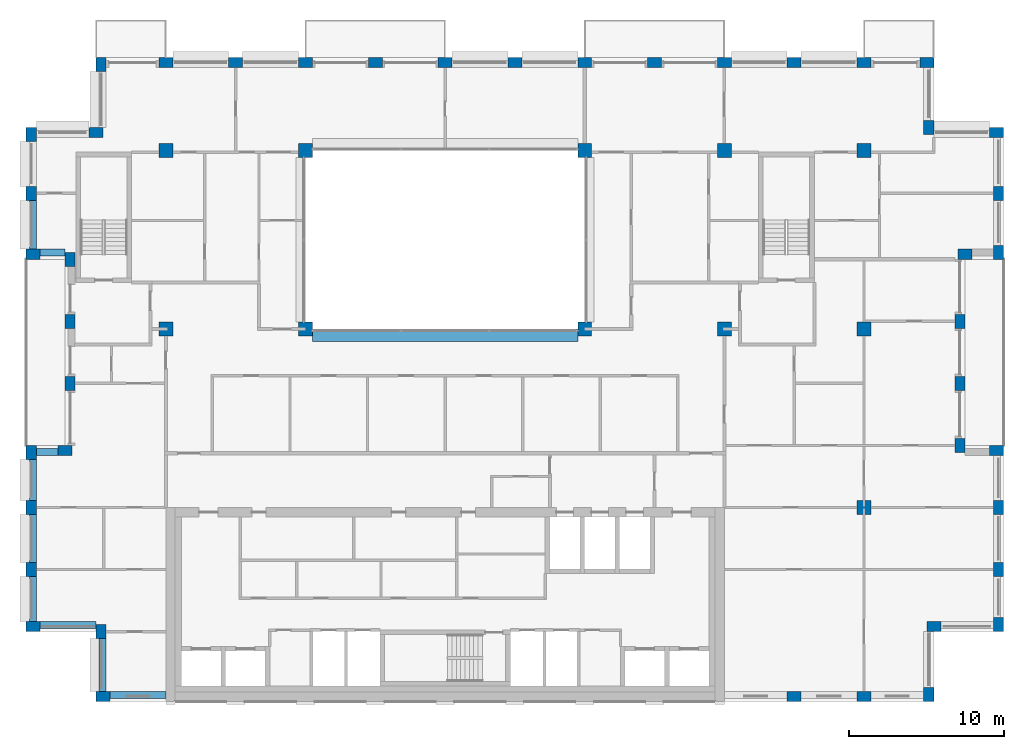
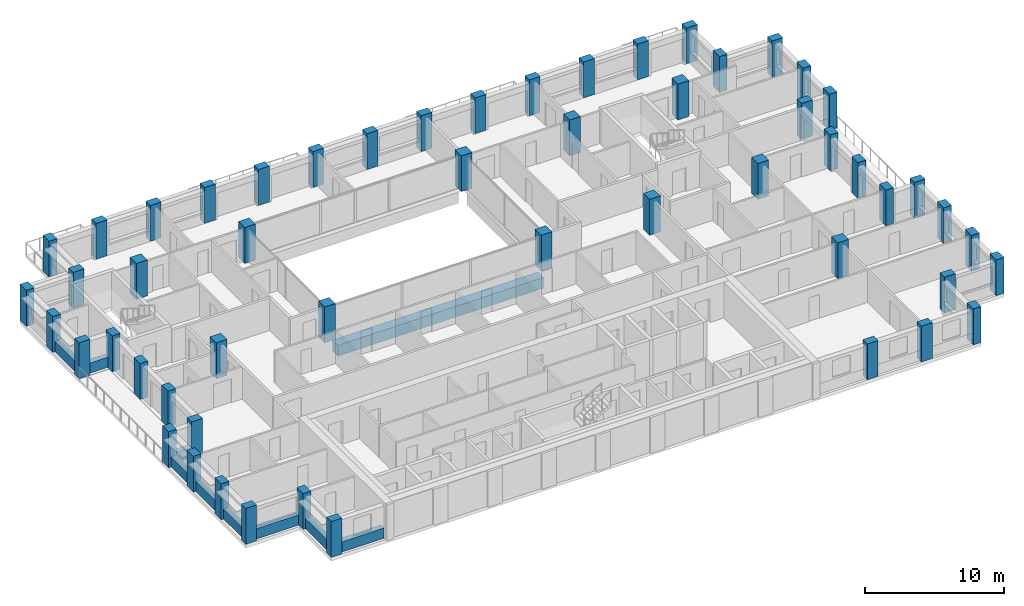
# One storey, part 1 of 15: 54 columns, 10 beams.
"""IFC4 building model written with IfcOpenShell, lengths in metres."""

from ifc_helpers import new_model, si_unit, direction, frame, origin, origin_2d, place, context, subcontext, project, spatial, rectangle, extrude, material, material_profile, profile_set, type_object, element, save


model = new_model("IFC4")

# Units and contexts
model_context = context("Model", 3, precision=1e-05, world=origin(), true_north=direction((0.0, 1.0)))
body_context = subcontext(model_context, "Body", "Model", "MODEL_VIEW")
ifc_project = project(units=[si_unit("LENGTHUNIT", "METRE"), si_unit("AREAUNIT", "SQUARE_METRE"), si_unit("VOLUMEUNIT", "CUBIC_METRE"), si_unit("PLANEANGLEUNIT", "RADIAN"), si_unit("MASSUNIT", "GRAM", prefix="KILO")], contexts=[model_context])

# Site, building, storey
site_placement = place(None, origin())
site = spatial("IfcSite", under=ifc_project, at=site_placement, CompositionType="ELEMENT")
building_placement = place(site_placement, origin())
building = spatial("IfcBuilding", under=site, at=building_placement, Name="Brigalow Station Residences", CompositionType="ELEMENT")
storey_placement = place(building_placement, frame((0.0, 0.0, 213.75)))
storey = spatial("IfcBuildingStorey", under=building, at=storey_placement, Name="L61", CompositionType="ELEMENT", Elevation=213.75)

# Columns
ifc_material_1 = material(Name="Concrete C50", Category="concrete")
ifc_material_profile_1 = material_profile(ifc_material_1, rectangle(XDim=0.89990234375, YDim=0.89990234375, at=origin_2d()), Name="RC900x900")
ifc_profile_set_1 = profile_set([ifc_material_profile_1], Name="Concrete C50")
column_type_1 = type_object("IfcColumnType", Name="COLUMN 900x900 C50", PredefinedType="COLUMN", material=ifc_profile_set_1)
for number, where, z_axis, x_axis, name in (
    (1, (18.0, 24.0, 0.0), (0.0, 0.0, 1.0), (1.0, 0.0, 0.0), "COLUMN C2 L61"),
    (2, (27.0, 24.0, 0.0), (0.0, 0.0, 1.0), (1.0, 0.0, 0.0), "COLUMN C3 L61"),
    (3, (45.0, 24.0, 0.0), (0.0, 0.0, 1.0), (1.0, 0.0, 0.0), "COLUMN C5 L61"),
    (4, (54.0, 24.0, 0.0), (0.0, 0.0, 1.0), (1.0, 0.0, 0.0), "COLUMN C6 L61"),
    (5, (63.0, 24.0, 0.0), (0.0, 0.0, 1.0), (1.0, 0.0, 0.0), "COLUMN C7 L61"),
    (6, (18.0, 35.5, 0.0), (0.0, 0.0, 1.0), (1.0, 0.0, 0.0), "COLUMN D2 L61"),
    (7, (27.0, 35.5, 0.0), (0.0, 0.0, 1.0), (1.0, 0.0, 0.0), "COLUMN D3 L61"),
    (8, (45.0, 35.5, 0.0), (0.0, 0.0, 1.0), (1.0, 0.0, 0.0), "COLUMN D5 L61"),
    (9, (54.0, 35.5, 0.0), (0.0, 0.0, 1.0), (1.0, 0.0, 0.0), "COLUMN D6 L61"),
    (10, (63.0, 35.5, 0.0), (0.0, 0.0, 1.0), (1.0, 0.0, 0.0), "COLUMN D7 L61"),
    (11, (63.0, 12.5, 0.0), (0.0, 0.0, 1.0), (1.0, 0.0, 0.0), "COLUMN B7 L61"),
):
    element("IfcColumn", number, at=place(storey_placement, frame(where, z_axis=z_axis, x_axis=x_axis)), inside=storey, type_object=column_type_1, Name=name, PredefinedType="COLUMN", context=body_context, shape_type="SweptSolid", body=[
        extrude(rectangle(XDim=0.89990234375, YDim=0.89990234375, at=origin_2d()), origin(), (0.0, 0.0, 1.0), 3.14990234375),
    ])
ifc_material_2 = material(Name="Concrete C50", Category="concrete")
ifc_material_profile_2 = material_profile(ifc_material_2, rectangle(XDim=0.89990234375, YDim=0.64990234375, at=origin_2d()), Name="RC900x650")
ifc_profile_set_2 = profile_set([ifc_material_profile_2], Name="Concrete C50")
column_type_2 = type_object("IfcColumnType", Name="PIER 900x650 C50", PredefinedType="USERDEFINED", material=ifc_profile_set_2)
for number, where, z_axis, x_axis, name in (
    (12, (13.949951171875, 0.324951171875, 0.0), (0.0, 0.0, 1.0), (1.0, 0.0, 0.0), "PIER S-1 L61"),
    (13, (58.5, 0.324951171875, 0.0), (0.0, 0.0, 1.0), (1.0, 0.0, 0.0), "PIER S-11 L61"),
    (14, (63.0, 0.324951171875, 0.0), (0.0, 0.0, 1.0), (1.0, 0.0, 0.0), "PIER S-12 L61"),
    (15, (67.175048828125, 0.449951171875, 0.0), (0.0, 0.0, 1.0), (0.0, 1.0, 0.0), "PIER SE1-1 L61"),
    (16, (67.5, 4.824951171875, 0.0), (0.0, 0.0, 1.0), (1.0, 0.0, 0.0), "PIER SE2-1 L61"),
    (17, (71.675048828125, 4.949951171875, 0.0), (0.0, 0.0, 1.0), (0.0, 1.0, 0.0), "PIER E1-1 L61"),
    (18, (71.675048828125, 8.5, 0.0), (0.0, 0.0, 1.0), (0.0, 1.0, 0.0), "PIER E1-2 L61"),
    (19, (71.675048828125, 12.5, 0.0), (0.0, 0.0, 1.0), (0.0, 1.0, 0.0), "PIER E1-3 L61"),
    (20, (71.550048828125, 16.175048828125, 0.0), (0.0, 0.0, 1.0), (-1.0, 0.0, 0.0), "PIER EL1-1 L61"),
    (21, (69.175048828125, 16.5, 0.0), (0.0, 0.0, 1.0), (0.0, 1.0, 0.0), "PIER EL2-1 L61"),
    (22, (69.175048828125, 20.5, 0.0), (0.0, 0.0, 1.0), (0.0, 1.0, 0.0), "PIER EL2-2 L61"),
    (23, (69.175048828125, 24.5, 0.0), (0.0, 0.0, 1.0), (0.0, 1.0, 0.0), "PIER EL2-3 L61"),
    (24, (69.5, 28.824951171875, 0.0), (0.0, 0.0, 1.0), (1.0, 0.0, 0.0), "PIER EL3-1 L61"),
    (25, (71.675048828125, 28.949951171875, 0.0), (0.0, 0.0, 1.0), (0.0, 1.0, 0.0), "PIER E2-1 L61"),
    (26, (71.675048828125, 32.75, 0.0), (0.0, 0.0, 1.0), (0.0, 1.0, 0.0), "PIER E2-2 L61"),
    (27, (71.550048828125, 36.675048828125, 0.0), (0.0, 0.0, 1.0), (-1.0, 0.0, 0.0), "PIER NE1-1 L61"),
    (28, (67.175048828125, 37.0, 0.0), (0.0, 0.0, 1.0), (0.0, 1.0, 0.0), "PIER NE2-1 L61"),
    (29, (67.050048828125, 41.175048828125, 0.0), (0.0, 0.0, 1.0), (-1.0, 0.0, 0.0), "PIER N-1 L61"),
    (30, (63.0, 41.175048828125, 0.0), (0.0, 0.0, 1.0), (-1.0, 0.0, 0.0), "PIER N-2 L61"),
    (31, (58.5, 41.175048828125, 0.0), (0.0, 0.0, 1.0), (-1.0, 0.0, 0.0), "PIER N-3 L61"),
    (32, (54.0, 41.175048828125, 0.0), (0.0, 0.0, 1.0), (-1.0, 0.0, 0.0), "PIER N-4 L61"),
    (33, (49.5, 41.175048828125, 0.0), (0.0, 0.0, 1.0), (-1.0, 0.0, 0.0), "PIER N-5 L61"),
    (34, (45.0, 41.175048828125, 0.0), (0.0, 0.0, 1.0), (-1.0, 0.0, 0.0), "PIER N-6 L61"),
    (35, (40.5, 41.175048828125, 0.0), (0.0, 0.0, 1.0), (-1.0, 0.0, 0.0), "PIER N-7 L61"),
    (36, (36.0, 41.175048828125, 0.0), (0.0, 0.0, 1.0), (-1.0, 0.0, 0.0), "PIER N-8 L61"),
    (37, (31.5, 41.175048828125, 0.0), (0.0, 0.0, 1.0), (-1.0, 0.0, 0.0), "PIER N-9 L61"),
    (38, (27.0, 41.175048828125, 0.0), (0.0, 0.0, 1.0), (-1.0, 0.0, 0.0), "PIER N-10 L61"),
    (39, (22.5, 41.175048828125, 0.0), (0.0, 0.0, 1.0), (-1.0, 0.0, 0.0), "PIER N-11 L61"),
    (40, (18.0, 41.175048828125, 0.0), (0.0, 0.0, 1.0), (-1.0, 0.0, 0.0), "PIER N-12 L61"),
    (41, (13.824951171875, 41.050048828125, 0.0), (0.0, 0.0, 1.0), (0.0, -1.0, 0.0), "PIER NW1-1 L61"),
    (42, (13.5, 36.675048828125, 0.0), (0.0, 0.0, 1.0), (-1.0, 0.0, 0.0), "PIER NW2-1 L61"),
    (43, (9.324951171875, 36.550048828125, 0.0), (0.0, 0.0, 1.0), (0.0, -1.0, 0.0), "PIER W2-1 L61"),
    (44, (9.324951171875, 32.75, 0.0), (0.0, 0.0, 1.0), (0.0, -1.0, 0.0), "PIER W2-2 L61"),
    (45, (9.449951171875, 28.824951171875, 0.0), (0.0, 0.0, 1.0), (1.0, 0.0, 0.0), "PIER WL1-1 L61"),
    (46, (11.824951171875, 28.5, 0.0), (0.0, 0.0, 1.0), (0.0, -1.0, 0.0), "PIER WL2-1 L61"),
    (47, (11.824951171875, 24.5, 0.0), (0.0, 0.0, 1.0), (0.0, -1.0, 0.0), "PIER WL2-2 L61"),
    (48, (11.824951171875, 20.5, 0.0), (0.0, 0.0, 1.0), (0.0, -1.0, 0.0), "PIER WL2-3 L61"),
    (49, (11.5, 16.175048828125, 0.0), (0.0, 0.0, 1.0), (-1.0, 0.0, 0.0), "PIER WL3-1 L61"),
    (50, (9.324951171875, 16.050048828125, 0.0), (0.0, 0.0, 1.0), (0.0, -1.0, 0.0), "PIER W1-1 L61"),
    (51, (9.324951171875, 12.5, 0.0), (0.0, 0.0, 1.0), (0.0, -1.0, 0.0), "PIER W1-2 L61"),
    (52, (9.324951171875, 8.5, 0.0), (0.0, 0.0, 1.0), (0.0, -1.0, 0.0), "PIER W1-3 L61"),
    (53, (9.449951171875, 4.824951171875, 0.0), (0.0, 0.0, 1.0), (1.0, 0.0, 0.0), "PIER SW1-1 L61"),
    (54, (13.824951171875, 4.5, 0.0), (0.0, 0.0, 1.0), (0.0, -1.0, 0.0), "PIER SW2-1 L61"),
):
    element("IfcColumn", number, at=place(storey_placement, frame(where, z_axis=z_axis, x_axis=x_axis)), inside=storey, type_object=column_type_2, Name=name, ObjectType="PIER", PredefinedType="USERDEFINED", context=body_context, shape_type="SweptSolid", body=[
        extrude(rectangle(XDim=0.89990234375, YDim=0.64990234375, at=origin_2d()), origin(), (0.0, 0.0, 1.0), 3.14990234375),
    ])

# Beams
ifc_material_3 = material(Name="Concrete C65", Category="concrete")
ifc_material_profile_3 = material_profile(ifc_material_3, rectangle(XDim=0.800048828125, YDim=0.949951171875, at=origin_2d()), Name="RC800x950")
ifc_profile_set_3 = profile_set([ifc_material_profile_3], Name="Concrete C65")
beam_type_1 = type_object("IfcBeamType", Name="ATRIUM EDGE GIRDER OVER 13.5 M SPAN 800x950 C65", PredefinedType="BEAM", material=ifc_profile_set_3)
beam_1_placement = place(storey_placement, frame((27.449951171875, 23.60009765625, -0.794921875), z_axis=(1.0, 0.0, 0.0), x_axis=(0.0, 1.0, 0.0)))
element("IfcBeam", 55, at=beam_1_placement, inside=storey, type_object=beam_type_1, Name="ATRIUM EDGE GIRDER C L61", PredefinedType="BEAM", context=body_context, shape_type="SweptSolid", body=[
    extrude(rectangle(XDim=0.800048828125, YDim=0.949951171875, at=origin_2d()), origin(), (0.0, 0.0, 1.0), 17.10009765625),
])
ifc_material_4 = material(Name="Concrete C50", Category="concrete")
ifc_material_profile_4 = material_profile(ifc_material_4, rectangle(XDim=0.449951171875, YDim=0.89990234375, at=origin_2d()), Name="RC450x900")
ifc_profile_set_4 = profile_set([ifc_material_profile_4], Name="Concrete C50")
beam_type_2 = type_object("IfcBeamType", Name="SPANDREL BEAM 450x900 C50", PredefinedType="SPANDREL", material=ifc_profile_set_4)
beam_2_placement = place(storey_placement, frame((14.39990234375, 0.425048828125, 0.449951171875), z_axis=(1.0, 0.0, 0.0), x_axis=(0.0, 1.0, 0.0)))
element("IfcBeam", 56, at=beam_2_placement, inside=storey, type_object=beam_type_2, Name="L61/spandrel/W-L61-1", PredefinedType="SPANDREL", context=body_context, shape_type="SweptSolid", body=[
    extrude(rectangle(XDim=0.449951171875, YDim=0.89990234375, at=origin_2d()), origin(), (0.0, 0.0, 1.0), 3.60009765625),
])
beam_3_placement = place(storey_placement, frame((9.425048828125, 32.300048828125, 0.449951171875), z_axis=(0.0, -1.0, 0.0), x_axis=(1.0, 0.0, 0.0)))
element("IfcBeam", 57, at=beam_3_placement, inside=storey, type_object=beam_type_2, Name="L61/spandrel/W-L61-35", PredefinedType="SPANDREL", context=body_context, shape_type="SweptSolid", body=[
    extrude(rectangle(XDim=0.449951171875, YDim=0.89990234375, at=origin_2d()), origin(), (0.0, 0.0, 1.0), 3.150146484375),
])
beam_4_placement = place(storey_placement, frame((9.89990234375, 28.925048828125, 0.449951171875), z_axis=(1.0, 0.0, 0.0), x_axis=(0.0, 1.0, 0.0)))
element("IfcBeam", 58, at=beam_4_placement, inside=storey, type_object=beam_type_2, Name="L61/spandrel/W-L61-36", PredefinedType="SPANDREL", context=body_context, shape_type="SweptSolid", body=[
    extrude(rectangle(XDim=0.449951171875, YDim=0.89990234375, at=origin_2d()), origin(), (0.0, 0.0, 1.0), 1.60009765625),
])
beam_5_placement = place(storey_placement, frame((11.050048828125, 16.074951171875, 0.449951171875), z_axis=(-1.0, 0.0, 0.0), x_axis=(0.0, -1.0, 0.0)))
element("IfcBeam", 59, at=beam_5_placement, inside=storey, type_object=beam_type_2, Name="L61/spandrel/W-L61-40", PredefinedType="SPANDREL", context=body_context, shape_type="SweptSolid", body=[
    extrude(rectangle(XDim=0.449951171875, YDim=0.89990234375, at=origin_2d()), origin(), (0.0, 0.0, 1.0), 1.400146484375),
])
beam_6_placement = place(storey_placement, frame((9.425048828125, 15.60009765625, 0.449951171875), z_axis=(0.0, -1.0, 0.0), x_axis=(1.0, 0.0, 0.0)))
element("IfcBeam", 60, at=beam_6_placement, inside=storey, type_object=beam_type_2, Name="L61/spandrel/W-L61-41", PredefinedType="SPANDREL", context=body_context, shape_type="SweptSolid", body=[
    extrude(rectangle(XDim=0.449951171875, YDim=0.89990234375, at=origin_2d()), origin(), (0.0, 0.0, 1.0), 2.650146484375),
])
beam_7_placement = place(storey_placement, frame((9.425048828125, 12.050048828125, 0.449951171875), z_axis=(0.0, -1.0, 0.0), x_axis=(1.0, 0.0, 0.0)))
element("IfcBeam", 61, at=beam_7_placement, inside=storey, type_object=beam_type_2, Name="L61/spandrel/W-L61-42", PredefinedType="SPANDREL", context=body_context, shape_type="SweptSolid", body=[
    extrude(rectangle(XDim=0.449951171875, YDim=0.89990234375, at=origin_2d()), origin(), (0.0, 0.0, 1.0), 3.10009765625),
])
beam_8_placement = place(storey_placement, frame((9.425048828125, 8.050048828125, 0.449951171875), z_axis=(0.0, -1.0, 0.0), x_axis=(1.0, 0.0, 0.0)))
element("IfcBeam", 62, at=beam_8_placement, inside=storey, type_object=beam_type_2, Name="L61/spandrel/W-L61-43", PredefinedType="SPANDREL", context=body_context, shape_type="SweptSolid", body=[
    extrude(rectangle(XDim=0.449951171875, YDim=0.89990234375, at=origin_2d()), origin(), (0.0, 0.0, 1.0), 2.900146484375),
])
beam_9_placement = place(storey_placement, frame((9.89990234375, 4.925048828125, 0.449951171875), z_axis=(1.0, 0.0, 0.0), x_axis=(0.0, 1.0, 0.0)))
element("IfcBeam", 63, at=beam_9_placement, inside=storey, type_object=beam_type_2, Name="L61/spandrel/W-L61-44", PredefinedType="SPANDREL", context=body_context, shape_type="SweptSolid", body=[
    extrude(rectangle(XDim=0.449951171875, YDim=0.89990234375, at=origin_2d()), origin(), (0.0, 0.0, 1.0), 3.60009765625),
])
beam_10_placement = place(storey_placement, frame((13.925048828125, 4.050048828125, 0.449951171875), z_axis=(0.0, -1.0, 0.0), x_axis=(1.0, 0.0, 0.0)))
element("IfcBeam", 64, at=beam_10_placement, inside=storey, type_object=beam_type_2, Name="L61/spandrel/W-L61-45", PredefinedType="SPANDREL", context=body_context, shape_type="SweptSolid", body=[
    extrude(rectangle(XDim=0.449951171875, YDim=0.89990234375, at=origin_2d()), origin(), (0.0, 0.0, 1.0), 3.400146484375),
])

save(model, "model.ifc")
